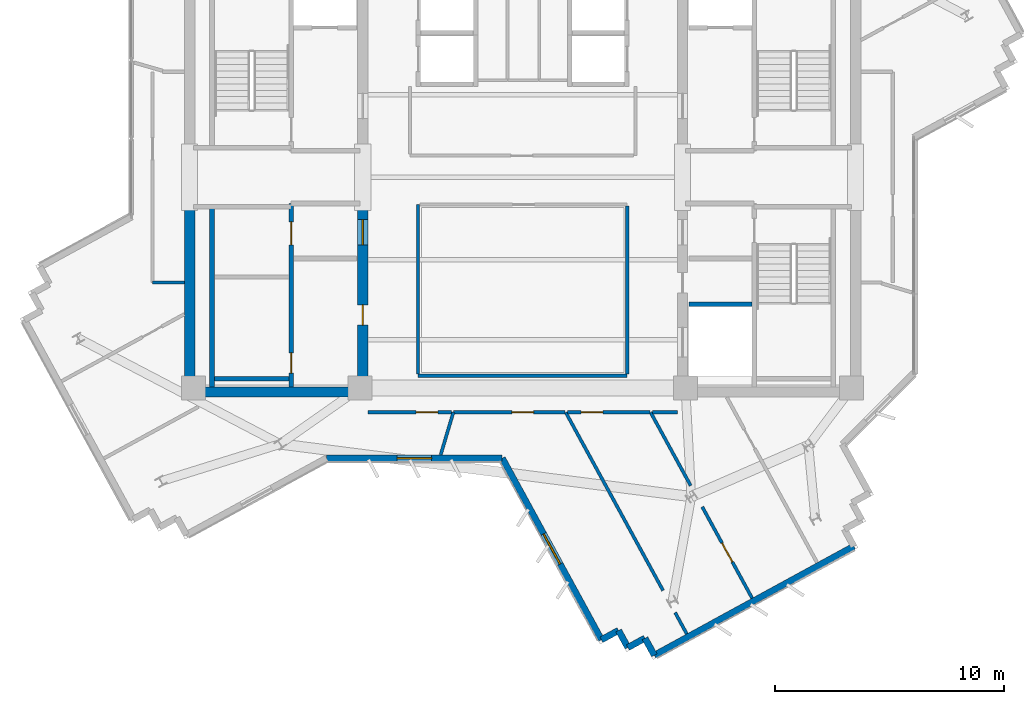
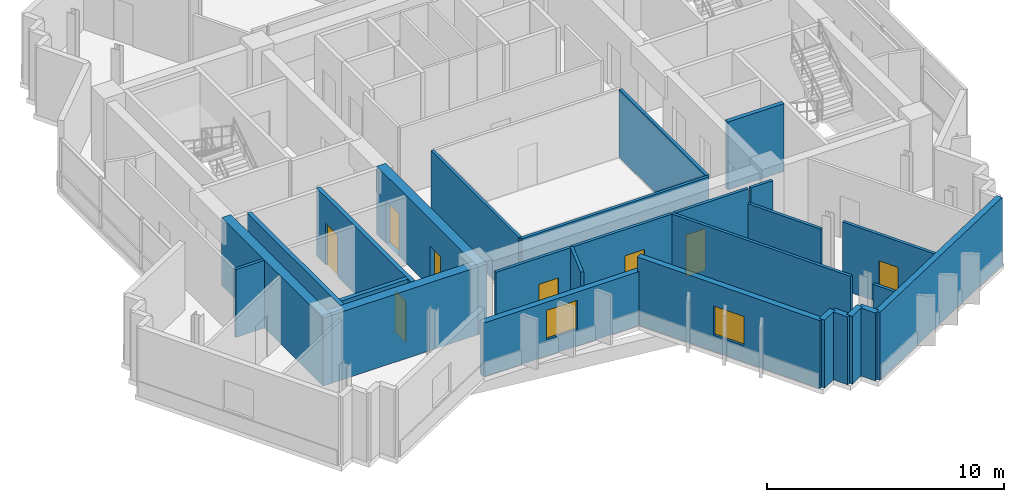
# One storey, part 5 of 13: 27 walls, 8 doors, 2 windows, 10 openings.
"""IFC4 building model written with IfcOpenShell, lengths in metres."""

from ifc_helpers import new_model, si_unit, direction, frame, frame_2d, origin, place, context, subcontext, project, spatial, rectangle, extrude, source, transform, mapped, material, layer, layer_set, type_object, element, fill, save


model = new_model("IFC4")

# Units and contexts
model_context = context("Model", 3, precision=1e-05, world=origin(), true_north=direction((0.0, 1.0)))
body_context = subcontext(model_context, "Body", "Model", "MODEL_VIEW")
ifc_project = project(units=[si_unit("LENGTHUNIT", "METRE"), si_unit("AREAUNIT", "SQUARE_METRE"), si_unit("VOLUMEUNIT", "CUBIC_METRE"), si_unit("PLANEANGLEUNIT", "RADIAN"), si_unit("MASSUNIT", "GRAM", prefix="KILO")], contexts=[model_context])

# Site, building, storey
site_placement = place(None, origin())
site = spatial("IfcSite", under=ifc_project, at=site_placement, CompositionType="ELEMENT")
building_placement = place(site_placement, origin())
building = spatial("IfcBuilding", under=site, at=building_placement, Name="Zahravan Cultural Tower", CompositionType="ELEMENT")
storey_placement = place(building_placement, frame((0.0, 0.0, 257.85009765625)))
storey = spatial("IfcBuildingStorey", under=building, at=storey_placement, Name="L61", CompositionType="ELEMENT", Elevation=257.85009765625)

# Wall, openings, doors
ifc_material_1 = material(Name="Concrete C50/60", Category="concrete")
ifc_layer_1 = layer(ifc_material_1, 0.449951171875)
ifc_layer_set_1 = layer_set([ifc_layer_1], Name="Concrete C50/60")
wall_type_1 = type_object("IfcWallType", Name="CW-SHEAR-450-C50", PredefinedType="SHEAR", material=ifc_layer_set_1)
wall_1_placement = place(storey_placement, frame((29.02490234375, 17.39990234375, 0.0), z_axis=(0.0, 0.0, 1.0), x_axis=(0.0, 1.0, 0.0)))
wall_1 = element("IfcWall", 1, at=wall_1_placement, inside=storey, type_object=wall_type_1, Name="L61 Core Shear Wall CW-W-ES-L61", PredefinedType="SHEAR", context=body_context, shape_type="SweptSolid", body=[
    extrude(rectangle(XDim=8.550048828125, YDim=0.449951171875, at=frame_2d((4.27490234375, 0.0))), origin(), (0.0, 0.0, 1.0), 3.5),
])
opening_1_placement = place(wall_1_placement, frame((6.64990234375, 0.0, 0.0)))
opening_1 = element("IfcOpeningElement", 2, at=opening_1_placement, cuts=wall_1, Name="Opening D-L61-08", PredefinedType="OPENING", context=body_context, shape_type="SweptSolid", body=[
    extrude(rectangle(XDim=1.10009765625, YDim=2.199951171875, at=frame_2d((0.550048828125, 1.10009765625))), frame((0.0, 0.23486328125, 0.0), z_axis=(0.0, -1.0, 0.0), x_axis=(1.0, 0.0, 0.0)), (0.0, 0.0, 1.0), 0.469970703125),
])
opening_2_placement = place(wall_1_placement, frame((3.14990234375, 0.0, 0.0)))
opening_2 = element("IfcOpeningElement", 3, at=opening_2_placement, cuts=wall_1, Name="Opening D-L61-10", PredefinedType="OPENING", context=body_context, shape_type="SweptSolid", body=[
    extrude(rectangle(XDim=0.8798828125, YDim=2.10009765625, at=frame_2d((0.43994140625, 1.050048828125))), frame((0.0, 0.23486328125, 0.0), z_axis=(0.0, -1.0, 0.0), x_axis=(1.0, 0.0, 0.0)), (0.0, 0.0, 1.0), 0.469970703125),
])
ifc_material_2 = material(Name="Steel ASTM A572 Grade 50", Category="steel")
door_type_1 = type_object("IfcDoorType", Name="DR-LOBBY-1100", OperationType="NOTDEFINED", PredefinedType="DOOR", material=ifc_material_2)
shared_shape_1 = source(origin(), body_context, "Body", "SweptSolid", [
    extrude(rectangle(XDim=1.10009765625, YDim=2.199951171875, at=frame_2d((0.550048828125, 1.10009765625))), frame((0.0, 0.02490234375, 0.0), z_axis=(0.0, -1.0, 0.0), x_axis=(1.0, 0.0, 0.0)), (0.0, 0.0, 1.0), 0.050048828125),
])
door_1_placement = place(opening_1_placement, origin())
door_1 = element("IfcDoor", 4, at=door_1_placement, inside=storey, type_object=door_type_1, Name="L61 Door D-L61-08", OperationType="SINGLE_SWING_RIGHT", OverallHeight=2.199951171875, OverallWidth=1.10009765625, PredefinedType="DOOR", context=body_context, shape_type="MappedRepresentation", body=[
    mapped(shared_shape_1, transform((0.0, 0.0, 0.0), x_axis=(1.0, 0.0, 0.0), y_axis=(0.0, 1.0, 0.0), z_axis=(0.0, 0.0, 1.0), scale=1.0)),
])
fill(opening_1, door_1)
door_type_2 = type_object("IfcDoorType", Name="DR-SVC-880", OperationType="NOTDEFINED", PredefinedType="DOOR", material=ifc_material_2)
shared_shape_2 = source(origin(), body_context, "Body", "SweptSolid", [
    extrude(rectangle(XDim=0.8798828125, YDim=2.10009765625, at=frame_2d((0.43994140625, 1.050048828125))), frame((0.0, 0.02490234375, 0.0), z_axis=(0.0, -1.0, 0.0), x_axis=(1.0, 0.0, 0.0)), (0.0, 0.0, 1.0), 0.050048828125),
])
door_2_placement = place(opening_2_placement, origin())
door_2 = element("IfcDoor", 5, at=door_2_placement, inside=storey, type_object=door_type_2, Name="L61 Door D-L61-10", OperationType="SINGLE_SWING_RIGHT", OverallHeight=2.10009765625, OverallWidth=0.8798828125, PredefinedType="DOOR", context=body_context, shape_type="MappedRepresentation", body=[
    mapped(shared_shape_2, transform((0.0, 0.0, 0.0), x_axis=(1.0, 0.0, 0.0), y_axis=(0.0, 1.0, 0.0), z_axis=(0.0, 0.0, 1.0), scale=1.0)),
])
fill(opening_2, door_2)

# Wall, opening, window
ifc_material_3 = material(Name="Precast concrete C40/50", Category="concrete")
ifc_layer_2 = layer(ifc_material_3, 0.280029296875)
ifc_layer_set_2 = layer_set([ifc_layer_2], Name="Precast concrete C40/50")
wall_type_2 = type_object("IfcWallType", Name="EW-TC-280", PredefinedType="SOLIDWALL", material=ifc_layer_set_2)
wall_2_placement = place(storey_placement, frame((39.437744140625, 6.817138671875, 0.0), z_axis=(0.0, 0.0, 1.0), x_axis=(-0.479475345647, 0.877555350344, 0.0)))
wall_2 = element("IfcWall", 6, at=wall_2_placement, inside=storey, type_object=wall_type_2, Name="L61 Exterior Masonry Frame Wall 23", PredefinedType="SOLIDWALL", context=body_context, shape_type="SweptSolid", body=[
    extrude(rectangle(XDim=9.0283203125, YDim=0.280029296875, at=frame_2d((4.51416015625, 0.0))), origin(), (0.0, 0.0, 1.0), 3.5),
])
opening_3_placement = place(wall_2_placement, frame((3.763916015625, 0.0, 0.85009765625)))
opening_3 = element("IfcOpeningElement", 7, at=opening_3_placement, cuts=wall_2, Name="Opening WN-03", PredefinedType="OPENING", context=body_context, shape_type="SweptSolid", body=[
    extrude(rectangle(XDim=1.5, YDim=1.5, at=frame_2d((0.75, 0.75))), frame((0.0, 0.14990234375, 0.0), z_axis=(0.0, -1.0, 0.0), x_axis=(1.0, 0.0, 0.0)), (0.0, 0.0, 1.0), 0.300048828125),
])
ifc_material_4 = material(Name="Low-E solar-control double glazing", Category="glass")
window_type = type_object("IfcWindowType", Name="WN-REC-1500X1500", PartitioningType="SINGLE_PANEL", PredefinedType="WINDOW", material=ifc_material_4)
shared_shape_3 = source(origin(), body_context, "Body", "SweptSolid", [
    extrude(rectangle(XDim=1.5, YDim=1.5, at=frame_2d((0.75, 0.75))), frame((0.0, 0.030029296875, 0.0), z_axis=(0.0, -1.0, 0.0), x_axis=(1.0, 0.0, 0.0)), (0.0, 0.0, 1.0), 0.06005859375),
])
window_1_placement = place(opening_3_placement, origin())
window_1 = element("IfcWindow", 8, at=window_1_placement, inside=storey, type_object=window_type, Name="L61 Recessed Solar Window 05", OverallHeight=1.5, OverallWidth=1.5, PartitioningType="SINGLE_PANEL", PredefinedType="WINDOW", context=body_context, shape_type="MappedRepresentation", body=[
    mapped(shared_shape_3, transform((0.0, 0.0, 0.0), x_axis=(1.0, 0.0, 0.0), y_axis=(0.0, 1.0, 0.0), z_axis=(0.0, 0.0, 1.0), scale=1.0)),
])
fill(opening_3, window_1)

wall_3_placement = place(storey_placement, frame((35.10888671875, 14.739990234375, 0.0), z_axis=(0.0, 0.0, 1.0), x_axis=(-1.0, 0.0, 0.0)))
wall_3 = element("IfcWall", 9, at=wall_3_placement, inside=storey, type_object=wall_type_2, Name="L61 Exterior Masonry Frame Wall 24", PredefinedType="SOLIDWALL", context=body_context, shape_type="SweptSolid", body=[
    extrude(rectangle(XDim=7.658203125, YDim=0.280029296875, at=frame_2d((3.8291015625, 0.0))), origin(), (0.0, 0.0, 1.0), 2.77197265625),
])
opening_4_placement = place(wall_3_placement, frame((3.0791015625, 0.0, 0.85009765625)))
opening_4 = element("IfcOpeningElement", 10, at=opening_4_placement, cuts=wall_3, Name="Opening WN-03", PredefinedType="OPENING", context=body_context, shape_type="SweptSolid", body=[
    extrude(rectangle(XDim=1.5, YDim=1.5, at=frame_2d((0.75, 0.75))), frame((0.0, 0.14990234375, 0.0), z_axis=(0.0, -1.0, 0.0), x_axis=(1.0, 0.0, 0.0)), (0.0, 0.0, 1.0), 0.300048828125),
])
window_2_placement = place(opening_4_placement, origin())
window_2 = element("IfcWindow", 11, at=window_2_placement, inside=storey, type_object=window_type, Name="L61 Recessed Solar Window 06", OverallHeight=1.5, OverallWidth=1.5, PartitioningType="SINGLE_PANEL", PredefinedType="WINDOW", context=body_context, shape_type="MappedRepresentation", body=[
    mapped(shared_shape_3, transform((0.0, 0.0, 0.0), x_axis=(1.0, 0.0, 0.0), y_axis=(0.0, 1.0, 0.0), z_axis=(0.0, 0.0, 1.0), scale=1.0)),
])
fill(opening_4, window_2)

# Wall, opening, door
ifc_material_5 = material(Name="Gypsum plasterboard partition")
ifc_layer_3 = layer(ifc_material_5, 0.139892578125)
ifc_layer_set_3 = layer_set([ifc_layer_3], Name="Gypsum plasterboard partition")
wall_type_3 = type_object("IfcWallType", Name="W-PART-140", PredefinedType="PARTITIONING", material=ifc_layer_set_3)
wall_4_placement = place(storey_placement, frame((46.01025390625, 8.635986328125, 0.0), z_axis=(0.0, 0.0, 1.0), x_axis=(-0.479410597023, 0.877590724348, 0.0)))
wall_4 = element("IfcWall", 12, at=wall_4_placement, inside=storey, type_object=wall_type_3, Name="L61 Interior Wall 054", PredefinedType="PARTITIONING", context=body_context, shape_type="SweptSolid", body=[
    extrude(rectangle(XDim=4.5322265625, YDim=0.139892578125, at=frame_2d((2.26611328125, 0.0))), origin(), (0.0, 0.0, 1.0), 3.5),
])
opening_5_placement = place(wall_4_placement, frame((1.791015625, 0.0, 0.0)))
opening_5 = element("IfcOpeningElement", 13, at=opening_5_placement, cuts=wall_4, Name="Opening D-L61-27", PredefinedType="OPENING", context=body_context, shape_type="SweptSolid", body=[
    extrude(rectangle(XDim=0.949951171875, YDim=2.14990234375, at=frame_2d((0.47509765625, 1.074951171875))), frame((0.0, 0.079833984375, 0.0), z_axis=(0.0, -1.0, 0.0), x_axis=(1.0, 0.0, 0.0)), (0.0, 0.0, 1.0), 0.159912109375),
])
ifc_material_6 = material(Name="Anodised bronze-aluminium mullion", Category="aluminium")
door_type_3 = type_object("IfcDoorType", Name="DR-ROOM-950", OperationType="NOTDEFINED", PredefinedType="DOOR", material=ifc_material_6)
shared_shape_4 = source(origin(), body_context, "Body", "SweptSolid", [
    extrude(rectangle(XDim=0.949951171875, YDim=2.14990234375, at=frame_2d((0.47509765625, 1.074951171875))), frame((0.0, 0.02490234375, 0.0), z_axis=(0.0, -1.0, 0.0), x_axis=(1.0, 0.0, 0.0)), (0.0, 0.0, 1.0), 0.050048828125),
])
door_3_placement = place(opening_5_placement, origin())
door_3 = element("IfcDoor", 14, at=door_3_placement, inside=storey, type_object=door_type_3, Name="L61 Door D-L61-27", OperationType="SINGLE_SWING_LEFT", OverallHeight=2.14990234375, OverallWidth=0.949951171875, PredefinedType="DOOR", context=body_context, shape_type="MappedRepresentation", body=[
    mapped(shared_shape_4, transform((0.0, 0.0, 0.0), x_axis=(1.0, 0.0, 0.0), y_axis=(0.0, 1.0, 0.0), z_axis=(0.0, 0.0, 1.0), scale=1.0)),
])
fill(opening_5, door_3)

wall_5_placement = place(storey_placement, frame((37.96484375, 16.739990234375, 0.0), z_axis=(0.0, 0.0, 1.0), x_axis=(1.0, 0.0, 0.0)))
wall_5 = element("IfcWall", 15, at=wall_5_placement, inside=storey, type_object=wall_type_3, Name="L61 Interior Wall 061", PredefinedType="PARTITIONING", context=body_context, shape_type="SweptSolid", body=[
    extrude(rectangle(XDim=3.59521484375, YDim=0.139892578125, at=frame_2d((1.797607421875, 0.0))), origin(), (0.0, 0.0, 1.0), 3.5),
])
opening_6_placement = place(wall_5_placement, frame((0.581787109375, 0.0, 0.0)))
opening_6 = element("IfcOpeningElement", 16, at=opening_6_placement, cuts=wall_5, Name="Opening D-L61-23", PredefinedType="OPENING", context=body_context, shape_type="SweptSolid", body=[
    extrude(rectangle(XDim=0.949951171875, YDim=2.14990234375, at=frame_2d((0.47509765625, 1.074951171875))), frame((0.0, 0.079833984375, 0.0), z_axis=(0.0, -1.0, 0.0), x_axis=(1.0, 0.0, 0.0)), (0.0, 0.0, 1.0), 0.159912109375),
])
door_4_placement = place(opening_6_placement, origin())
door_4 = element("IfcDoor", 17, at=door_4_placement, inside=storey, type_object=door_type_3, Name="L61 Door D-L61-23", OperationType="SINGLE_SWING_LEFT", OverallHeight=2.14990234375, OverallWidth=0.949951171875, PredefinedType="DOOR", context=body_context, shape_type="MappedRepresentation", body=[
    mapped(shared_shape_4, transform((0.0, 0.0, 0.0), x_axis=(1.0, 0.0, 0.0), y_axis=(0.0, 1.0, 0.0), z_axis=(0.0, 0.0, 1.0), scale=1.0)),
])
fill(opening_6, door_4)

wall_6_placement = place(storey_placement, frame((32.9775390625, 16.739990234375, 0.0), z_axis=(0.0, 0.0, 1.0), x_axis=(1.0, 0.0, 0.0)))
wall_6 = element("IfcWall", 18, at=wall_6_placement, inside=storey, type_object=wall_type_3, Name="L61 Interior Wall 072", PredefinedType="PARTITIONING", context=body_context, shape_type="SweptSolid", body=[
    extrude(rectangle(XDim=4.879150390625, YDim=0.139892578125, at=frame_2d((2.439453125, 0.0))), origin(), (0.0, 0.0, 1.0), 3.5),
])
opening_7_placement = place(wall_6_placement, frame((2.5537109375, 0.0, 0.0)))
opening_7 = element("IfcOpeningElement", 19, at=opening_7_placement, cuts=wall_6, Name="Opening D-L61-22", PredefinedType="OPENING", context=body_context, shape_type="SweptSolid", body=[
    extrude(rectangle(XDim=0.949951171875, YDim=2.14990234375, at=frame_2d((0.47509765625, 1.074951171875))), frame((0.0, 0.079833984375, 0.0), z_axis=(0.0, -1.0, 0.0), x_axis=(1.0, 0.0, 0.0)), (0.0, 0.0, 1.0), 0.159912109375),
])
door_5_placement = place(opening_7_placement, origin())
door_5 = element("IfcDoor", 20, at=door_5_placement, inside=storey, type_object=door_type_3, Name="L61 Door D-L61-22", OperationType="SINGLE_SWING_RIGHT", OverallHeight=2.14990234375, OverallWidth=0.949951171875, PredefinedType="DOOR", context=body_context, shape_type="MappedRepresentation", body=[
    mapped(shared_shape_4, transform((0.0, 0.0, 0.0), x_axis=(1.0, 0.0, 0.0), y_axis=(0.0, 1.0, 0.0), z_axis=(0.0, 0.0, 1.0), scale=1.0)),
])
fill(opening_7, door_5)

wall_7_placement = place(storey_placement, frame((29.25341796875, 16.7412109375, 0.0), z_axis=(0.0, 0.0, 1.0), x_axis=(0.999999943952, -0.000334806463, 0.0)))
wall_7 = element("IfcWall", 21, at=wall_7_placement, inside=storey, type_object=wall_type_3, Name="L61 Interior Wall 076", PredefinedType="PARTITIONING", context=body_context, shape_type="SweptSolid", body=[
    extrude(rectangle(XDim=3.64599609375, YDim=0.139892578125, at=frame_2d((1.822998046875, 0.0))), origin(), (0.0, 0.0, 1.0), 3.5),
])
opening_8_placement = place(wall_7_placement, frame((2.102783203125, 0.0, 0.0)))
opening_8 = element("IfcOpeningElement", 22, at=opening_8_placement, cuts=wall_7, Name="Opening D-L61-21", PredefinedType="OPENING", context=body_context, shape_type="SweptSolid", body=[
    extrude(rectangle(XDim=0.949951171875, YDim=2.14990234375, at=frame_2d((0.47509765625, 1.074951171875))), frame((0.0, 0.079833984375, 0.0), z_axis=(0.0, -1.0, 0.0), x_axis=(1.0, 0.0, 0.0)), (0.0, 0.0, 1.0), 0.159912109375),
])
door_6_placement = place(opening_8_placement, origin())
door_6 = element("IfcDoor", 23, at=door_6_placement, inside=storey, type_object=door_type_3, Name="L61 Door D-L61-21", OperationType="SINGLE_SWING_LEFT", OverallHeight=2.14990234375, OverallWidth=0.949951171875, PredefinedType="DOOR", context=body_context, shape_type="MappedRepresentation", body=[
    mapped(shared_shape_4, transform((0.0, 0.0, 0.0), x_axis=(1.0, 0.0, 0.0), y_axis=(0.0, 1.0, 0.0), z_axis=(0.0, 0.0, 1.0), scale=1.0)),
])
fill(opening_8, door_6)

# Wall, openings, doors
ifc_material_7 = material(Name="Concrete C45/55", Category="concrete")
ifc_layer_4 = layer(ifc_material_7, 0.199951171875)
ifc_layer_set_4 = layer_set([ifc_layer_4], Name="Concrete C45/55")
wall_type_4 = type_object("IfcWallType", Name="W-SHAFT-200", PredefinedType="SOLIDWALL", material=ifc_layer_set_4)
wall_8_placement = place(storey_placement, frame((25.89990234375, 17.85009765625, 0.0), z_axis=(0.0, 0.0, 1.0), x_axis=(0.0, 1.0, 0.0)))
wall_8 = element("IfcWall", 24, at=wall_8_placement, inside=storey, type_object=wall_type_4, Name="L61 Interior Wall 005", PredefinedType="SOLIDWALL", context=body_context, shape_type="SweptSolid", body=[
    extrude(rectangle(XDim=8.0, YDim=0.199951171875, at=frame_2d((4.0, 0.0))), origin(), (0.0, 0.0, 1.0), 3.5),
])
opening_9_placement = place(wall_8_placement, frame((6.199951171875, 0.0, 0.0)))
opening_9 = element("IfcOpeningElement", 25, at=opening_9_placement, cuts=wall_8, Name="Opening D-L61-04", PredefinedType="OPENING", context=body_context, shape_type="SweptSolid", body=[
    extrude(rectangle(XDim=1.0, YDim=2.14990234375, at=frame_2d((0.5, 1.074951171875))), frame((0.0, 0.10986328125, 0.0), z_axis=(0.0, -1.0, 0.0), x_axis=(1.0, 0.0, 0.0)), (0.0, 0.0, 1.0), 0.219970703125),
])
opening_10_placement = place(wall_8_placement, frame((0.60009765625, 0.0, 0.0)))
opening_10 = element("IfcOpeningElement", 26, at=opening_10_placement, cuts=wall_8, Name="Opening D-L61-05", PredefinedType="OPENING", context=body_context, shape_type="SweptSolid", body=[
    extrude(rectangle(XDim=0.8798828125, YDim=2.10009765625, at=frame_2d((0.43994140625, 1.050048828125))), frame((0.0, 0.10986328125, 0.0), z_axis=(0.0, -1.0, 0.0), x_axis=(1.0, 0.0, 0.0)), (0.0, 0.0, 1.0), 0.219970703125),
])
door_7_placement = place(opening_10_placement, origin())
door_7 = element("IfcDoor", 27, at=door_7_placement, inside=storey, type_object=door_type_2, Name="L61 Door D-L61-05", OperationType="SINGLE_SWING_LEFT", OverallHeight=2.10009765625, OverallWidth=0.8798828125, PredefinedType="DOOR", context=body_context, shape_type="MappedRepresentation", body=[
    mapped(shared_shape_2, transform((0.0, 0.0, 0.0), x_axis=(1.0, 0.0, 0.0), y_axis=(0.0, 1.0, 0.0), z_axis=(0.0, 0.0, 1.0), scale=1.0)),
])
fill(opening_10, door_7)
door_type_4 = type_object("IfcDoorType", Name="DR-COMP-1000", OperationType="NOTDEFINED", PredefinedType="DOOR", material=ifc_material_2)
shared_shape_5 = source(origin(), body_context, "Body", "SweptSolid", [
    extrude(rectangle(XDim=1.0, YDim=2.14990234375, at=frame_2d((0.5, 1.074951171875))), frame((0.0, 0.02490234375, 0.0), z_axis=(0.0, -1.0, 0.0), x_axis=(1.0, 0.0, 0.0)), (0.0, 0.0, 1.0), 0.050048828125),
])
door_8_placement = place(opening_9_placement, origin())
door_8 = element("IfcDoor", 28, at=door_8_placement, inside=storey, type_object=door_type_4, Name="L61 Door D-L61-04", OperationType="SINGLE_SWING_RIGHT", OverallHeight=2.14990234375, OverallWidth=1.0, PredefinedType="DOOR", context=body_context, shape_type="MappedRepresentation", body=[
    mapped(shared_shape_5, transform((0.0, 0.0, 0.0), x_axis=(1.0, 0.0, 0.0), y_axis=(0.0, 1.0, 0.0), z_axis=(0.0, 0.0, 1.0), scale=1.0)),
])
fill(opening_9, door_8)

# Walls
shared_shape_6 = source(origin(), body_context, "Body", "SweptSolid", [
    extrude(rectangle(XDim=8.550048828125, YDim=0.449951171875, at=frame_2d((4.27490234375, 0.0))), origin(), (0.0, 0.0, 1.0), 3.5),
])
wall_9_placement = place(storey_placement, frame((21.47509765625, 17.39990234375, 0.0), z_axis=(0.0, 0.0, 1.0), x_axis=(0.0, 1.0, 0.0)))
element("IfcWall", 29, at=wall_9_placement, inside=storey, type_object=wall_type_1, Name="L61 Core Shear Wall CW-W-WS-L61", PredefinedType="SHEAR", context=body_context, shape_type="MappedRepresentation", body=[
    mapped(shared_shape_6, transform((0.0, 0.0, 0.0), x_axis=(1.0, 0.0, 0.0), y_axis=(0.0, 1.0, 0.0), z_axis=(0.0, 0.0, 1.0), scale=1.0)),
])
shared_shape_7 = source(origin(), body_context, "Body", "SweptSolid", [
    extrude(rectangle(XDim=7.10009765625, YDim=0.449951171875, at=frame_2d((3.550048828125, 0.0))), origin(), (0.0, 0.0, 1.0), 3.5),
])
wall_10_placement = place(storey_placement, frame((21.699951171875, 17.625, 0.0), z_axis=(0.0, 0.0, 1.0), x_axis=(1.0, 0.0, 0.0)))
element("IfcWall", 30, at=wall_10_placement, inside=storey, type_object=wall_type_1, Name="L61 Core Shear Wall CW-W-S-L61", PredefinedType="SHEAR", context=body_context, shape_type="MappedRepresentation", body=[
    mapped(shared_shape_7, transform((0.0, 0.0, 0.0), x_axis=(1.0, 0.0, 0.0), y_axis=(0.0, 1.0, 0.0), z_axis=(0.0, 0.0, 1.0), scale=1.0)),
])
shared_shape_8 = source(origin(), body_context, "Body", "SweptSolid", [
    extrude(rectangle(XDim=0.85009765625, YDim=0.280029296875, at=frame_2d((0.425048828125, 0.0))), origin(), (0.0, 0.0, 1.0), 3.5),
])
wall_11_placement = place(storey_placement, frame((40.59130859375, 6.478759765625, 0.0), z_axis=(0.0, 0.0, 1.0), x_axis=(-0.479656876283, 0.877456141943, 0.0)))
element("IfcWall", 31, at=wall_11_placement, inside=storey, type_object=wall_type_2, Name="L61 Exterior Masonry Frame Wall 21", PredefinedType="SOLIDWALL", context=body_context, shape_type="MappedRepresentation", body=[
    mapped(shared_shape_8, transform((0.0, 0.0, 0.0), x_axis=(1.0, 0.0, 0.0), y_axis=(0.0, 1.0, 0.0), z_axis=(0.0, 0.0, 1.0), scale=1.0)),
])
shared_shape_9 = source(origin(), body_context, "Body", "SweptSolid", [
    extrude(rectangle(XDim=0.849853515625, YDim=0.280029296875, at=frame_2d((0.4248046875, 0.0))), origin(), (0.0, 0.0, 1.0), 3.5),
])
for number, where, z_axis, x_axis, name in (
    (32, (41.74462890625, 6.140380859375, 0.0), (0.0, 0.0, 1.0), (-0.479435691737, 0.877577015132, 0.0), "L61 Exterior Masonry Frame Wall 19"),
    (33, (41.337158203125, 6.88623046875, 0.0), (0.0, 0.0, 1.0), (-0.877577015132, -0.479435691737, 0.0), "L61 Exterior Masonry Frame Wall 20"),
    (34, (40.18359375, 7.224609375, 0.0), (0.0, 0.0, 1.0), (-0.877577015132, -0.479435691737, 0.0), "L61 Exterior Masonry Frame Wall 22"),
):
    element("IfcWall", number, at=place(storey_placement, frame(where, z_axis=z_axis, x_axis=x_axis)), inside=storey, type_object=wall_type_2, Name=name, PredefinedType="SOLIDWALL", context=body_context, shape_type="MappedRepresentation", body=[
        mapped(shared_shape_9, transform((0.0, 0.0, 0.0), x_axis=(1.0, 0.0, 0.0), y_axis=(0.0, 1.0, 0.0), z_axis=(0.0, 0.0, 1.0), scale=1.0)),
    ])
shared_shape_10 = source(origin(), body_context, "Body", "SweptSolid", [
    extrude(rectangle(XDim=9.920166015625, YDim=0.280029296875, at=frame_2d((4.9599609375, 0.0))), origin(), (0.0, 0.0, 1.0), 3.5),
])
wall_12_placement = place(storey_placement, frame((50.4501953125, 10.896484375, 0.0), z_axis=(0.0, 0.0, 1.0), x_axis=(-0.877572768104, -0.479443465574, 0.0)))
element("IfcWall", 35, at=wall_12_placement, inside=storey, type_object=wall_type_2, Name="L61 Exterior Masonry Frame Wall 18", PredefinedType="SOLIDWALL", context=body_context, shape_type="MappedRepresentation", body=[
    mapped(shared_shape_10, transform((0.0, 0.0, 0.0), x_axis=(1.0, 0.0, 0.0), y_axis=(0.0, 1.0, 0.0), z_axis=(0.0, 0.0, 1.0), scale=1.0)),
])
shared_shape_11 = source(origin(), body_context, "Body", "SweptSolid", [
    extrude(rectangle(XDim=7.869873046875, YDim=0.199951171875, at=frame_2d((3.93505859375, 0.0))), origin(), (0.0, 0.0, 1.0), 3.5),
])
wall_13_placement = place(storey_placement, frame((22.449951171875, 17.85009765625, 0.0), z_axis=(0.0, 0.0, 1.0), x_axis=(0.0, 1.0, 0.0)))
element("IfcWall", 36, at=wall_13_placement, inside=storey, type_object=wall_type_4, Name="L61 Interior Wall 001", PredefinedType="SOLIDWALL", context=body_context, shape_type="MappedRepresentation", body=[
    mapped(shared_shape_11, transform((0.0, 0.0, 0.0), x_axis=(1.0, 0.0, 0.0), y_axis=(0.0, 1.0, 0.0), z_axis=(0.0, 0.0, 1.0), scale=1.0)),
])
shared_shape_12 = source(origin(), body_context, "Body", "SweptSolid", [
    extrude(rectangle(XDim=3.25, YDim=0.199951171875, at=frame_2d((1.625, 0.0))), origin(), (0.0, 0.0, 1.0), 3.5),
])
wall_14_placement = place(storey_placement, frame((22.550048828125, 18.199951171875, 0.0), z_axis=(0.0, 0.0, 1.0), x_axis=(1.0, 0.0, 0.0)))
element("IfcWall", 37, at=wall_14_placement, inside=storey, type_object=wall_type_4, Name="L61 Interior Wall 019", PredefinedType="SOLIDWALL", context=body_context, shape_type="MappedRepresentation", body=[
    mapped(shared_shape_12, transform((0.0, 0.0, 0.0), x_axis=(1.0, 0.0, 0.0), y_axis=(0.0, 1.0, 0.0), z_axis=(0.0, 0.0, 1.0), scale=1.0)),
])
shared_shape_13 = source(origin(), body_context, "Body", "SweptSolid", [
    extrude(rectangle(XDim=2.75, YDim=0.199951171875, at=frame_2d((1.375, 0.0))), origin(), (0.0, 0.0, 1.0), 3.5),
])
wall_15_placement = place(storey_placement, frame((43.25, 21.449951171875, 0.0), z_axis=(0.0, 0.0, 1.0), x_axis=(1.0, 0.0, 0.0)))
element("IfcWall", 38, at=wall_15_placement, inside=storey, type_object=wall_type_4, Name="L61 Interior Wall 026", PredefinedType="SOLIDWALL", context=body_context, shape_type="MappedRepresentation", body=[
    mapped(shared_shape_13, transform((0.0, 0.0, 0.0), x_axis=(1.0, 0.0, 0.0), y_axis=(0.0, 1.0, 0.0), z_axis=(0.0, 0.0, 1.0), scale=1.0)),
])
shared_shape_14 = source(origin(), body_context, "Body", "SweptSolid", [
    extrude(rectangle(XDim=1.080078125, YDim=0.139892578125, at=frame_2d((0.5400390625, 0.0))), origin(), (0.0, 0.0, 1.0), 3.5),
])
wall_16_placement = place(storey_placement, frame((41.668212890625, 16.739990234375, 0.0), z_axis=(0.0, 0.0, 1.0), x_axis=(0.999996908828, 0.002486429927, 0.0)))
element("IfcWall", 39, at=wall_16_placement, inside=storey, type_object=wall_type_3, Name="L61 Interior Wall 056", PredefinedType="PARTITIONING", context=body_context, shape_type="MappedRepresentation", body=[
    mapped(shared_shape_14, transform((0.0, 0.0, 0.0), x_axis=(1.0, 0.0, 0.0), y_axis=(0.0, 1.0, 0.0), z_axis=(0.0, 0.0, 1.0), scale=1.0)),
])
shared_shape_15 = source(origin(), body_context, "Body", "SweptSolid", [
    extrude(rectangle(XDim=8.858642578125, YDim=0.139892578125, at=frame_2d((4.42919921875, 0.0))), origin(), (0.0, 0.0, 1.0), 3.5),
])
wall_17_placement = place(storey_placement, frame((42.126708984375, 8.9658203125, 0.0), z_axis=(0.0, 0.0, 1.0), x_axis=(-0.479448669569, 0.877569924991, 0.0)))
element("IfcWall", 40, at=wall_17_placement, inside=storey, type_object=wall_type_3, Name="L61 Interior Wall 060", PredefinedType="PARTITIONING", context=body_context, shape_type="MappedRepresentation", body=[
    mapped(shared_shape_15, transform((0.0, 0.0, 0.0), x_axis=(1.0, 0.0, 0.0), y_axis=(0.0, 1.0, 0.0), z_axis=(0.0, 0.0, 1.0), scale=1.0)),
])
shared_shape_16 = source(origin(), body_context, "Body", "SweptSolid", [
    extrude(rectangle(XDim=1.05712890625, YDim=0.139892578125, at=frame_2d((0.528564453125, 0.0))), origin(), (0.0, 0.0, 1.0), 3.5),
])
wall_18_placement = place(storey_placement, frame((43.158203125, 7.077880859375, 0.0), z_axis=(0.0, 0.0, 1.0), x_axis=(-0.479434527366, 0.877577651248, 0.0)))
element("IfcWall", 41, at=wall_18_placement, inside=storey, type_object=wall_type_3, Name="L61 Interior Wall 062", PredefinedType="PARTITIONING", context=body_context, shape_type="MappedRepresentation", body=[
    mapped(shared_shape_16, transform((0.0, 0.0, 0.0), x_axis=(1.0, 0.0, 0.0), y_axis=(0.0, 1.0, 0.0), z_axis=(0.0, 0.0, 1.0), scale=1.0)),
])
shared_shape_17 = source(origin(), body_context, "Body", "SweptSolid", [
    extrude(rectangle(XDim=1.38916015625, YDim=0.139892578125, at=frame_2d((0.694580078125, 0.0))), origin(), (0.0, 0.0, 1.0), 3.5),
])
wall_19_placement = place(storey_placement, frame((19.85595703125, 22.39990234375, 0.0), z_axis=(0.0, 0.0, 1.0), x_axis=(1.0, 0.0, 0.0)))
element("IfcWall", 42, at=wall_19_placement, inside=storey, type_object=wall_type_3, Name="L61 Interior Wall 065", PredefinedType="PARTITIONING", context=body_context, shape_type="MappedRepresentation", body=[
    mapped(shared_shape_17, transform((0.0, 0.0, 0.0), x_axis=(1.0, 0.0, 0.0), y_axis=(0.0, 1.0, 0.0), z_axis=(0.0, 0.0, 1.0), scale=1.0)),
])
shared_shape_18 = source(origin(), body_context, "Body", "SweptSolid", [
    extrude(rectangle(XDim=1.935791015625, YDim=0.139892578125, at=frame_2d((0.9677734375, 0.0))), origin(), (0.0, 0.0, 1.0), 3.5),
])
wall_20_placement = place(storey_placement, frame((32.423828125, 14.885009765625, 0.0), z_axis=(0.0, 0.0, 1.0), x_axis=(0.286028613148, 0.958221077028, 0.0)))
element("IfcWall", 43, at=wall_20_placement, inside=storey, type_object=wall_type_3, Name="L61 Interior Wall 073", PredefinedType="PARTITIONING", context=body_context, shape_type="MappedRepresentation", body=[
    mapped(shared_shape_18, transform((0.0, 0.0, 0.0), x_axis=(1.0, 0.0, 0.0), y_axis=(0.0, 1.0, 0.0), z_axis=(0.0, 0.0, 1.0), scale=1.0)),
])
shared_shape_19 = source(origin(), body_context, "Body", "SweptSolid", [
    extrude(rectangle(XDim=9.1201171875, YDim=0.139892578125, at=frame_2d((4.56005859375, 0.0))), origin(), (0.0, 0.0, 1.0), 3.5),
])
wall_21_placement = place(storey_placement, frame((40.56005859375, 18.340087890625, 0.0), z_axis=(0.0, 0.0, 1.0), x_axis=(-1.0, 0.0, 0.0)))
element("IfcWall", 44, at=wall_21_placement, inside=storey, type_object=wall_type_3, Name="L61 Interior Wall 081", PredefinedType="PARTITIONING", context=body_context, shape_type="MappedRepresentation", body=[
    mapped(shared_shape_19, transform((0.0, 0.0, 0.0), x_axis=(1.0, 0.0, 0.0), y_axis=(0.0, 1.0, 0.0), z_axis=(0.0, 0.0, 1.0), scale=1.0)),
])
shared_shape_20 = source(origin(), body_context, "Body", "SweptSolid", [
    extrude(rectangle(XDim=7.39501953125, YDim=0.139892578125, at=frame_2d((3.697509765625, 0.0))), origin(), (0.0, 0.0, 1.0), 3.5),
])
wall_22_placement = place(storey_placement, frame((31.43994140625, 18.4150390625, 0.0), z_axis=(0.0, 0.0, 1.0), x_axis=(0.0, 1.0, 0.0)))
element("IfcWall", 45, at=wall_22_placement, inside=storey, type_object=wall_type_3, Name="L61 Interior Wall 082", PredefinedType="PARTITIONING", context=body_context, shape_type="MappedRepresentation", body=[
    mapped(shared_shape_20, transform((0.0, 0.0, 0.0), x_axis=(1.0, 0.0, 0.0), y_axis=(0.0, 1.0, 0.0), z_axis=(0.0, 0.0, 1.0), scale=1.0)),
])
shared_shape_21 = source(origin(), body_context, "Body", "SweptSolid", [
    extrude(rectangle(XDim=7.320068359375, YDim=0.139892578125, at=frame_2d((3.66015625, 0.0))), origin(), (0.0, 0.0, 1.0), 3.5),
])
wall_23_placement = place(storey_placement, frame((40.56005859375, 25.735107421875, 0.0), z_axis=(0.0, 0.0, 1.0), x_axis=(0.0, -1.0, 0.0)))
element("IfcWall", 46, at=wall_23_placement, inside=storey, type_object=wall_type_3, Name="L61 Interior Wall 084", PredefinedType="PARTITIONING", context=body_context, shape_type="MappedRepresentation", body=[
    mapped(shared_shape_21, transform((0.0, 0.0, 0.0), x_axis=(1.0, 0.0, 0.0), y_axis=(0.0, 1.0, 0.0), z_axis=(0.0, 0.0, 1.0), scale=1.0)),
])
shared_shape_22 = source(origin(), body_context, "Body", "SweptSolid", [
    extrude(rectangle(XDim=3.64306640625, YDim=0.139892578125, at=frame_2d((1.821533203125, 0.0))), origin(), (0.0, 0.0, 1.0), 2.72998046875),
])
wall_24_placement = place(storey_placement, frame((43.32958984375, 13.542724609375, 0.0), z_axis=(0.0, 0.0, 1.0), x_axis=(-0.479434255723, 0.87757779965, 0.0)))
element("IfcWall", 47, at=wall_24_placement, inside=storey, type_object=wall_type_3, Name="L61 Interior Wall 055", PredefinedType="PARTITIONING", context=body_context, shape_type="MappedRepresentation", body=[
    mapped(shared_shape_22, transform((0.0, 0.0, 0.0), x_axis=(1.0, 0.0, 0.0), y_axis=(0.0, 1.0, 0.0), z_axis=(0.0, 0.0, 1.0), scale=1.0)),
])

save(model, "model.ifc")
